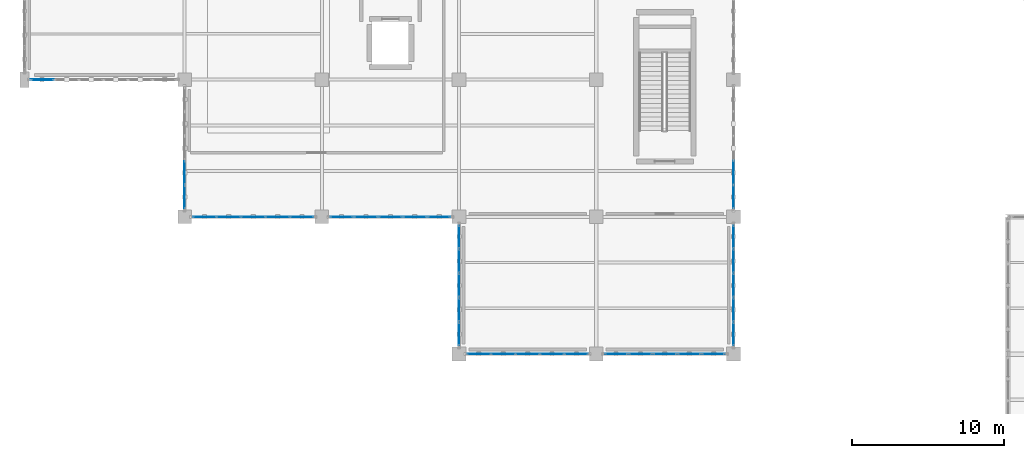
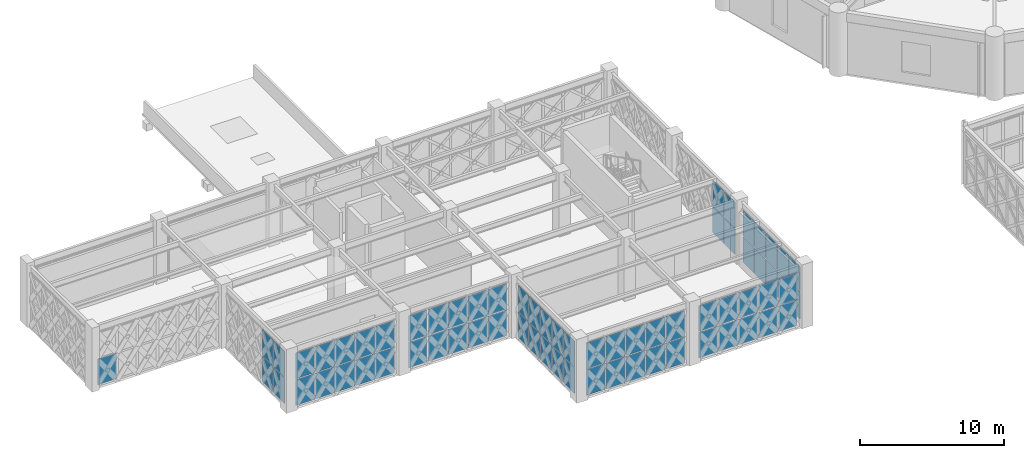
# One storey, part 117 of 155: 69 plates, 9 elements without a shape of their own.
"""IFC4 building model written with IfcOpenShell, lengths in metres."""

from ifc_helpers import new_model, si_unit, direction, frame, origin, origin_2d, place, context, subcontext, project, spatial, rectangle, extrude, material, layer, layer_set, type_object, element, aggregate, save


model = new_model("IFC4")

# Units and contexts
model_context = context("Model", 3, precision=1e-05, world=origin(), true_north=direction((0.0, 1.0)))
body_context = subcontext(model_context, "Body", "Model", "MODEL_VIEW")
ifc_project = project(units=[si_unit("LENGTHUNIT", "METRE"), si_unit("AREAUNIT", "SQUARE_METRE"), si_unit("VOLUMEUNIT", "CUBIC_METRE"), si_unit("PLANEANGLEUNIT", "RADIAN"), si_unit("MASSUNIT", "GRAM", prefix="KILO")], contexts=[model_context])

# Site, building, storey
site_placement = place(None, origin())
site = spatial("IfcSite", under=ifc_project, at=site_placement, CompositionType="ELEMENT")
building_placement = place(site_placement, origin())
building = spatial("IfcBuilding", under=site, at=building_placement, Name="Haizhuo Lancet Aquarium", CompositionType="ELEMENT")
storey_placement = place(building_placement, frame((0.0, 0.0, 10.800048828125)))
storey = spatial("IfcBuildingStorey", under=building, at=storey_placement, Name="L02", CompositionType="ELEMENT", Elevation=10.800048828125)

# Curtain wall, plates
ifc_material_1 = material(Name="Aluminium 6063-T6", Category="aluminium")
curtain_wall_type_1 = type_object("IfcCurtainWallType", Name="CWD-8010x4560", PredefinedType="NOTDEFINED", material=ifc_material_1)
curtain_wall_1_placement = place(storey_placement, origin())
curtain_wall_1 = element("IfcCurtainWall", 1, at=curtain_wall_1_placement, inside=storey, type_object=curtain_wall_type_1, Name="L02 curtain wall CW-V6-L02-221", PredefinedType="NOTDEFINED")
ifc_material_2 = material(Name="Laminated Low-E Glass", Category="glass")
ifc_layer_1 = layer(ifc_material_2, 0.028076171875)
ifc_layer_set_1 = layer_set([ifc_layer_1], Name="Laminated Low-E Glass")
plate_type_1 = type_object("IfcPlateType", Name="CW-PNL-1", PredefinedType="CURTAIN_PANEL", material=ifc_layer_set_1)
plate_1_placement = place(storey_placement, frame((-36.0, -28.31494140625, 0.074951171875), z_axis=(0.0, 0.0, 1.0), x_axis=(0.0, -1.0, 0.0)))
plate_1 = element("IfcPlate", 2, at=plate_1_placement, type_object=plate_type_1, Name="CWD-80x45 panel 1.1", PredefinedType="CURTAIN_PANEL", context=body_context, shape_type="SweptSolid", body=[
    extrude(rectangle(XDim=1.489990234375, YDim=0.028076171875, at=origin_2d()), origin(), (0.0, 0.0, 1.0), 2.16796875),
])
plate_2_placement = place(storey_placement, frame((-36.0, -28.31494140625, 2.31689453125), z_axis=(0.0, 0.0, 1.0), x_axis=(0.0, -1.0, 0.0)))
plate_2 = element("IfcPlate", 3, at=plate_2_placement, type_object=plate_type_1, Name="CWD-80x45 panel 1.2", PredefinedType="CURTAIN_PANEL", context=body_context, shape_type="SweptSolid", body=[
    extrude(rectangle(XDim=1.489990234375, YDim=0.028076171875, at=origin_2d()), origin(), (0.0, 0.0, 1.0), 2.16796875),
])
plate_3_placement = place(storey_placement, frame((-36.0, -29.89794921875, 0.074951171875), z_axis=(0.0, 0.0, 1.0), x_axis=(0.0, -1.0, 0.0)))
plate_3 = element("IfcPlate", 4, at=plate_3_placement, type_object=plate_type_1, Name="CWD-80x45 panel 2.1", PredefinedType="CURTAIN_PANEL", context=body_context, shape_type="SweptSolid", body=[
    extrude(rectangle(XDim=1.527099609375, YDim=0.028076171875, at=origin_2d()), origin(), (0.0, 0.0, 1.0), 2.16796875),
])
plate_4_placement = place(storey_placement, frame((-36.0, -29.89794921875, 2.31689453125), z_axis=(0.0, 0.0, 1.0), x_axis=(0.0, -1.0, 0.0)))
plate_4 = element("IfcPlate", 5, at=plate_4_placement, type_object=plate_type_1, Name="CWD-80x45 panel 2.2", PredefinedType="CURTAIN_PANEL", context=body_context, shape_type="SweptSolid", body=[
    extrude(rectangle(XDim=1.527099609375, YDim=0.028076171875, at=origin_2d()), origin(), (0.0, 0.0, 1.0), 2.16796875),
])
plate_5_placement = place(storey_placement, frame((-36.0, -31.5, 0.074951171875), z_axis=(0.0, 0.0, 1.0), x_axis=(0.0, -1.0, 0.0)))
plate_5 = element("IfcPlate", 6, at=plate_5_placement, type_object=plate_type_1, Name="CWD-80x45 panel 3.1", PredefinedType="CURTAIN_PANEL", context=body_context, shape_type="SweptSolid", body=[
    extrude(rectangle(XDim=1.527099609375, YDim=0.028076171875, at=origin_2d()), origin(), (0.0, 0.0, 1.0), 2.16796875),
])
plate_6_placement = place(storey_placement, frame((-36.0, -31.5, 2.31689453125), z_axis=(0.0, 0.0, 1.0), x_axis=(0.0, -1.0, 0.0)))
plate_6 = element("IfcPlate", 7, at=plate_6_placement, type_object=plate_type_1, Name="CWD-80x45 panel 3.2", PredefinedType="CURTAIN_PANEL", context=body_context, shape_type="SweptSolid", body=[
    extrude(rectangle(XDim=1.527099609375, YDim=0.028076171875, at=origin_2d()), origin(), (0.0, 0.0, 1.0), 2.16796875),
])
plate_7_placement = place(storey_placement, frame((-36.0, -33.10205078125, 0.074951171875), z_axis=(0.0, 0.0, 1.0), x_axis=(0.0, -1.0, 0.0)))
plate_7 = element("IfcPlate", 8, at=plate_7_placement, type_object=plate_type_1, Name="CWD-80x45 panel 4.1", PredefinedType="CURTAIN_PANEL", context=body_context, shape_type="SweptSolid", body=[
    extrude(rectangle(XDim=1.527099609375, YDim=0.028076171875, at=origin_2d()), origin(), (0.0, 0.0, 1.0), 2.16796875),
])
plate_8_placement = place(storey_placement, frame((-36.0, -33.10205078125, 2.31689453125), z_axis=(0.0, 0.0, 1.0), x_axis=(0.0, -1.0, 0.0)))
plate_8 = element("IfcPlate", 9, at=plate_8_placement, type_object=plate_type_1, Name="CWD-80x45 panel 4.2", PredefinedType="CURTAIN_PANEL", context=body_context, shape_type="SweptSolid", body=[
    extrude(rectangle(XDim=1.527099609375, YDim=0.028076171875, at=origin_2d()), origin(), (0.0, 0.0, 1.0), 2.16796875),
])
plate_9_placement = place(storey_placement, frame((-36.0, -34.68505859375, 0.074951171875), z_axis=(0.0, 0.0, 1.0), x_axis=(0.0, -1.0, 0.0)))
plate_9 = element("IfcPlate", 10, at=plate_9_placement, type_object=plate_type_1, Name="CWD-80x45 panel 5.1", PredefinedType="CURTAIN_PANEL", context=body_context, shape_type="SweptSolid", body=[
    extrude(rectangle(XDim=1.489990234375, YDim=0.028076171875, at=origin_2d()), origin(), (0.0, 0.0, 1.0), 2.16796875),
])
plate_10_placement = place(storey_placement, frame((-36.0, -34.68505859375, 2.31689453125), z_axis=(0.0, 0.0, 1.0), x_axis=(0.0, -1.0, 0.0)))
plate_10 = element("IfcPlate", 11, at=plate_10_placement, type_object=plate_type_1, Name="CWD-80x45 panel 5.2", PredefinedType="CURTAIN_PANEL", context=body_context, shape_type="SweptSolid", body=[
    extrude(rectangle(XDim=1.489990234375, YDim=0.028076171875, at=origin_2d()), origin(), (0.0, 0.0, 1.0), 2.16796875),
])
aggregate(curtain_wall_1, [plate_1, plate_2, plate_3, plate_4, plate_5, plate_6, plate_7, plate_8, plate_9, plate_10])

curtain_wall_2_placement = place(storey_placement, origin())
curtain_wall_2 = element("IfcCurtainWall", 12, at=curtain_wall_2_placement, inside=storey, type_object=curtain_wall_type_1, Name="L02 curtain wall CW-V6-L02-225", PredefinedType="NOTDEFINED")
plate_11_placement = place(storey_placement, frame((-55.31591796875, -27.0, 0.080078125), z_axis=(0.0, 0.0, 1.0), x_axis=(-1.0, 0.0, 0.0)))
plate_11 = element("IfcPlate", 13, at=plate_11_placement, type_object=plate_type_1, Name="CWD-80x45 panel 1.1", PredefinedType="CURTAIN_PANEL", context=body_context, shape_type="SweptSolid", body=[
    extrude(rectangle(XDim=1.48193359375, YDim=0.028076171875, at=origin_2d()), origin(), (0.0, 0.0, 1.0), 2.159912109375),
])
plate_12_placement = place(storey_placement, frame((-55.31591796875, -27.0, 2.31982421875), z_axis=(0.0, 0.0, 1.0), x_axis=(-1.0, 0.0, 0.0)))
plate_12 = element("IfcPlate", 14, at=plate_12_placement, type_object=plate_type_1, Name="CWD-80x45 panel 1.2", PredefinedType="CURTAIN_PANEL", context=body_context, shape_type="SweptSolid", body=[
    extrude(rectangle(XDim=1.48193359375, YDim=0.028076171875, at=origin_2d()), origin(), (0.0, 0.0, 1.0), 2.159912109375),
])
plate_13_placement = place(storey_placement, frame((-56.89794921875, -27.0, 0.080078125), z_axis=(0.0, 0.0, 1.0), x_axis=(-1.0, 0.0, 0.0)))
plate_13 = element("IfcPlate", 15, at=plate_13_placement, type_object=plate_type_1, Name="CWD-80x45 panel 2.1", PredefinedType="CURTAIN_PANEL", context=body_context, shape_type="SweptSolid", body=[
    extrude(rectangle(XDim=1.52197265625, YDim=0.028076171875, at=origin_2d()), origin(), (0.0, 0.0, 1.0), 2.159912109375),
])
plate_14_placement = place(storey_placement, frame((-56.89794921875, -27.0, 2.31982421875), z_axis=(0.0, 0.0, 1.0), x_axis=(-1.0, 0.0, 0.0)))
plate_14 = element("IfcPlate", 16, at=plate_14_placement, type_object=plate_type_1, Name="CWD-80x45 panel 2.2", PredefinedType="CURTAIN_PANEL", context=body_context, shape_type="SweptSolid", body=[
    extrude(rectangle(XDim=1.52197265625, YDim=0.028076171875, at=origin_2d()), origin(), (0.0, 0.0, 1.0), 2.159912109375),
])
plate_15_placement = place(storey_placement, frame((-58.5, -27.0, 0.080078125), z_axis=(0.0, 0.0, 1.0), x_axis=(-1.0, 0.0, 0.0)))
plate_15 = element("IfcPlate", 17, at=plate_15_placement, type_object=plate_type_1, Name="CWD-80x45 panel 3.1", PredefinedType="CURTAIN_PANEL", context=body_context, shape_type="SweptSolid", body=[
    extrude(rectangle(XDim=1.52197265625, YDim=0.028076171875, at=origin_2d()), origin(), (0.0, 0.0, 1.0), 2.159912109375),
])
plate_16_placement = place(storey_placement, frame((-58.5, -27.0, 2.31982421875), z_axis=(0.0, 0.0, 1.0), x_axis=(-1.0, 0.0, 0.0)))
plate_16 = element("IfcPlate", 18, at=plate_16_placement, type_object=plate_type_1, Name="CWD-80x45 panel 3.2", PredefinedType="CURTAIN_PANEL", context=body_context, shape_type="SweptSolid", body=[
    extrude(rectangle(XDim=1.52197265625, YDim=0.028076171875, at=origin_2d()), origin(), (0.0, 0.0, 1.0), 2.159912109375),
])
plate_17_placement = place(storey_placement, frame((-60.10205078125, -27.0, 0.080078125), z_axis=(0.0, 0.0, 1.0), x_axis=(-1.0, 0.0, 0.0)))
plate_17 = element("IfcPlate", 19, at=plate_17_placement, type_object=plate_type_1, Name="CWD-80x45 panel 4.1", PredefinedType="CURTAIN_PANEL", context=body_context, shape_type="SweptSolid", body=[
    extrude(rectangle(XDim=1.52197265625, YDim=0.028076171875, at=origin_2d()), origin(), (0.0, 0.0, 1.0), 2.159912109375),
])
plate_18_placement = place(storey_placement, frame((-60.10205078125, -27.0, 2.31982421875), z_axis=(0.0, 0.0, 1.0), x_axis=(-1.0, 0.0, 0.0)))
plate_18 = element("IfcPlate", 20, at=plate_18_placement, type_object=plate_type_1, Name="CWD-80x45 panel 4.2", PredefinedType="CURTAIN_PANEL", context=body_context, shape_type="SweptSolid", body=[
    extrude(rectangle(XDim=1.52197265625, YDim=0.028076171875, at=origin_2d()), origin(), (0.0, 0.0, 1.0), 2.159912109375),
])
plate_19_placement = place(storey_placement, frame((-61.68408203125, -27.0, 0.080078125), z_axis=(0.0, 0.0, 1.0), x_axis=(-1.0, 0.0, 0.0)))
plate_19 = element("IfcPlate", 21, at=plate_19_placement, type_object=plate_type_1, Name="CWD-80x45 panel 5.1", PredefinedType="CURTAIN_PANEL", context=body_context, shape_type="SweptSolid", body=[
    extrude(rectangle(XDim=1.48193359375, YDim=0.028076171875, at=origin_2d()), origin(), (0.0, 0.0, 1.0), 2.159912109375),
])
plate_20_placement = place(storey_placement, frame((-61.68408203125, -27.0, 2.31982421875), z_axis=(0.0, 0.0, 1.0), x_axis=(-1.0, 0.0, 0.0)))
plate_20 = element("IfcPlate", 22, at=plate_20_placement, type_object=plate_type_1, Name="CWD-80x45 panel 5.2", PredefinedType="CURTAIN_PANEL", context=body_context, shape_type="SweptSolid", body=[
    extrude(rectangle(XDim=1.48193359375, YDim=0.028076171875, at=origin_2d()), origin(), (0.0, 0.0, 1.0), 2.159912109375),
])
aggregate(curtain_wall_2, [plate_11, plate_12, plate_13, plate_14, plate_15, plate_16, plate_17, plate_18, plate_19, plate_20])

curtain_wall_3_placement = place(storey_placement, origin())
curtain_wall_3 = element("IfcCurtainWall", 23, at=curtain_wall_3_placement, inside=storey, type_object=curtain_wall_type_1, Name="L02 curtain wall CW-V6-L02-222", PredefinedType="NOTDEFINED")
ifc_layer_2 = layer(ifc_material_2, 0.033935546875)
ifc_layer_set_2 = layer_set([ifc_layer_2], Name="Laminated Low-E Glass")
plate_type_2 = type_object("IfcPlateType", Name="CW-PNL-2", PredefinedType="CURTAIN_PANEL", material=ifc_layer_set_2)
plate_21_placement = place(storey_placement, frame((-37.31591796875, -36.0, 0.080078125), z_axis=(0.0, 0.0, 1.0), x_axis=(-1.0, 0.0, 0.0)))
plate_21 = element("IfcPlate", 24, at=plate_21_placement, type_object=plate_type_2, Name="CWD-80x45 panel 1.1", PredefinedType="CURTAIN_PANEL", context=body_context, shape_type="SweptSolid", body=[
    extrude(rectangle(XDim=1.48193359375, YDim=0.033935546875, at=origin_2d()), origin(), (0.0, 0.0, 1.0), 2.159912109375),
])
plate_22_placement = place(storey_placement, frame((-37.31591796875, -36.0, 2.31982421875), z_axis=(0.0, 0.0, 1.0), x_axis=(-1.0, 0.0, 0.0)))
plate_22 = element("IfcPlate", 25, at=plate_22_placement, type_object=plate_type_2, Name="CWD-80x45 panel 1.2", PredefinedType="CURTAIN_PANEL", context=body_context, shape_type="SweptSolid", body=[
    extrude(rectangle(XDim=1.48193359375, YDim=0.033935546875, at=origin_2d()), origin(), (0.0, 0.0, 1.0), 2.159912109375),
])
plate_23_placement = place(storey_placement, frame((-38.89794921875, -36.0, 0.080078125), z_axis=(0.0, 0.0, 1.0), x_axis=(-1.0, 0.0, 0.0)))
plate_23 = element("IfcPlate", 26, at=plate_23_placement, type_object=plate_type_2, Name="CWD-80x45 panel 2.1", PredefinedType="CURTAIN_PANEL", context=body_context, shape_type="SweptSolid", body=[
    extrude(rectangle(XDim=1.52197265625, YDim=0.033935546875, at=origin_2d()), origin(), (0.0, 0.0, 1.0), 2.159912109375),
])
plate_24_placement = place(storey_placement, frame((-38.89794921875, -36.0, 2.31982421875), z_axis=(0.0, 0.0, 1.0), x_axis=(-1.0, 0.0, 0.0)))
plate_24 = element("IfcPlate", 27, at=plate_24_placement, type_object=plate_type_2, Name="CWD-80x45 panel 2.2", PredefinedType="CURTAIN_PANEL", context=body_context, shape_type="SweptSolid", body=[
    extrude(rectangle(XDim=1.52197265625, YDim=0.033935546875, at=origin_2d()), origin(), (0.0, 0.0, 1.0), 2.159912109375),
])
plate_25_placement = place(storey_placement, frame((-40.5, -36.0, 0.080078125), z_axis=(0.0, 0.0, 1.0), x_axis=(-1.0, 0.0, 0.0)))
plate_25 = element("IfcPlate", 28, at=plate_25_placement, type_object=plate_type_2, Name="CWD-80x45 panel 3.1", PredefinedType="CURTAIN_PANEL", context=body_context, shape_type="SweptSolid", body=[
    extrude(rectangle(XDim=1.52197265625, YDim=0.033935546875, at=origin_2d()), origin(), (0.0, 0.0, 1.0), 2.159912109375),
])
plate_26_placement = place(storey_placement, frame((-40.5, -36.0, 2.31982421875), z_axis=(0.0, 0.0, 1.0), x_axis=(-1.0, 0.0, 0.0)))
plate_26 = element("IfcPlate", 29, at=plate_26_placement, type_object=plate_type_2, Name="CWD-80x45 panel 3.2", PredefinedType="CURTAIN_PANEL", context=body_context, shape_type="SweptSolid", body=[
    extrude(rectangle(XDim=1.52197265625, YDim=0.033935546875, at=origin_2d()), origin(), (0.0, 0.0, 1.0), 2.159912109375),
])
plate_27_placement = place(storey_placement, frame((-42.10205078125, -36.0, 0.080078125), z_axis=(0.0, 0.0, 1.0), x_axis=(-1.0, 0.0, 0.0)))
plate_27 = element("IfcPlate", 30, at=plate_27_placement, type_object=plate_type_2, Name="CWD-80x45 panel 4.1", PredefinedType="CURTAIN_PANEL", context=body_context, shape_type="SweptSolid", body=[
    extrude(rectangle(XDim=1.52197265625, YDim=0.033935546875, at=origin_2d()), origin(), (0.0, 0.0, 1.0), 2.159912109375),
])
plate_28_placement = place(storey_placement, frame((-42.10205078125, -36.0, 2.31982421875), z_axis=(0.0, 0.0, 1.0), x_axis=(-1.0, 0.0, 0.0)))
plate_28 = element("IfcPlate", 31, at=plate_28_placement, type_object=plate_type_2, Name="CWD-80x45 panel 4.2", PredefinedType="CURTAIN_PANEL", context=body_context, shape_type="SweptSolid", body=[
    extrude(rectangle(XDim=1.52197265625, YDim=0.033935546875, at=origin_2d()), origin(), (0.0, 0.0, 1.0), 2.159912109375),
])
plate_29_placement = place(storey_placement, frame((-43.68408203125, -36.0, 0.080078125), z_axis=(0.0, 0.0, 1.0), x_axis=(-1.0, 0.0, 0.0)))
plate_29 = element("IfcPlate", 32, at=plate_29_placement, type_object=plate_type_2, Name="CWD-80x45 panel 5.1", PredefinedType="CURTAIN_PANEL", context=body_context, shape_type="SweptSolid", body=[
    extrude(rectangle(XDim=1.48193359375, YDim=0.033935546875, at=origin_2d()), origin(), (0.0, 0.0, 1.0), 2.159912109375),
])
plate_30_placement = place(storey_placement, frame((-43.68408203125, -36.0, 2.31982421875), z_axis=(0.0, 0.0, 1.0), x_axis=(-1.0, 0.0, 0.0)))
plate_30 = element("IfcPlate", 33, at=plate_30_placement, type_object=plate_type_2, Name="CWD-80x45 panel 5.2", PredefinedType="CURTAIN_PANEL", context=body_context, shape_type="SweptSolid", body=[
    extrude(rectangle(XDim=1.48193359375, YDim=0.033935546875, at=origin_2d()), origin(), (0.0, 0.0, 1.0), 2.159912109375),
])
aggregate(curtain_wall_3, [plate_21, plate_22, plate_23, plate_24, plate_25, plate_26, plate_27, plate_28, plate_29, plate_30])

curtain_wall_4_placement = place(storey_placement, origin())
curtain_wall_4 = element("IfcCurtainWall", 34, at=curtain_wall_4_placement, inside=storey, type_object=curtain_wall_type_1, Name="L02 curtain wall CW-V6-L02-226", PredefinedType="NOTDEFINED")
plate_31_placement = place(storey_placement, frame((-64.31201171875, -27.0, 0.06494140625), z_axis=(0.0, 0.0, 1.0), x_axis=(-1.0, 0.0, 0.0)))
plate_31 = element("IfcPlate", 35, at=plate_31_placement, type_object=plate_type_2, Name="CWD-80x45 panel 1.1", PredefinedType="CURTAIN_PANEL", context=body_context, shape_type="SweptSolid", body=[
    extrude(rectangle(XDim=1.50390625, YDim=0.033935546875, at=origin_2d()), origin(), (0.0, 0.0, 1.0), 2.181884765625),
])
plate_32_placement = place(storey_placement, frame((-64.31201171875, -27.0, 2.31298828125), z_axis=(0.0, 0.0, 1.0), x_axis=(-1.0, 0.0, 0.0)))
plate_32 = element("IfcPlate", 36, at=plate_32_placement, type_object=plate_type_2, Name="CWD-80x45 panel 1.2", PredefinedType="CURTAIN_PANEL", context=body_context, shape_type="SweptSolid", body=[
    extrude(rectangle(XDim=1.50390625, YDim=0.033935546875, at=origin_2d()), origin(), (0.0, 0.0, 1.0), 2.181884765625),
])
plate_33_placement = place(storey_placement, frame((-65.89794921875, -27.0, 0.06494140625), z_axis=(0.0, 0.0, 1.0), x_axis=(-1.0, 0.0, 0.0)))
plate_33 = element("IfcPlate", 37, at=plate_33_placement, type_object=plate_type_2, Name="CWD-80x45 panel 2.1", PredefinedType="CURTAIN_PANEL", context=body_context, shape_type="SweptSolid", body=[
    extrude(rectangle(XDim=1.537109375, YDim=0.033935546875, at=origin_2d()), origin(), (0.0, 0.0, 1.0), 2.181884765625),
])
plate_34_placement = place(storey_placement, frame((-65.89794921875, -27.0, 2.31298828125), z_axis=(0.0, 0.0, 1.0), x_axis=(-1.0, 0.0, 0.0)))
plate_34 = element("IfcPlate", 38, at=plate_34_placement, type_object=plate_type_2, Name="CWD-80x45 panel 2.2", PredefinedType="CURTAIN_PANEL", context=body_context, shape_type="SweptSolid", body=[
    extrude(rectangle(XDim=1.537109375, YDim=0.033935546875, at=origin_2d()), origin(), (0.0, 0.0, 1.0), 2.181884765625),
])
plate_35_placement = place(storey_placement, frame((-67.5, -27.0, 0.06494140625), z_axis=(0.0, 0.0, 1.0), x_axis=(-1.0, 0.0, 0.0)))
plate_35 = element("IfcPlate", 39, at=plate_35_placement, type_object=plate_type_2, Name="CWD-80x45 panel 3.1", PredefinedType="CURTAIN_PANEL", context=body_context, shape_type="SweptSolid", body=[
    extrude(rectangle(XDim=1.537109375, YDim=0.033935546875, at=origin_2d()), origin(), (0.0, 0.0, 1.0), 2.181884765625),
])
plate_36_placement = place(storey_placement, frame((-67.5, -27.0, 2.31298828125), z_axis=(0.0, 0.0, 1.0), x_axis=(-1.0, 0.0, 0.0)))
plate_36 = element("IfcPlate", 40, at=plate_36_placement, type_object=plate_type_2, Name="CWD-80x45 panel 3.2", PredefinedType="CURTAIN_PANEL", context=body_context, shape_type="SweptSolid", body=[
    extrude(rectangle(XDim=1.537109375, YDim=0.033935546875, at=origin_2d()), origin(), (0.0, 0.0, 1.0), 2.181884765625),
])
plate_37_placement = place(storey_placement, frame((-69.10205078125, -27.0, 0.06494140625), z_axis=(0.0, 0.0, 1.0), x_axis=(-1.0, 0.0, 0.0)))
plate_37 = element("IfcPlate", 41, at=plate_37_placement, type_object=plate_type_2, Name="CWD-80x45 panel 4.1", PredefinedType="CURTAIN_PANEL", context=body_context, shape_type="SweptSolid", body=[
    extrude(rectangle(XDim=1.537109375, YDim=0.033935546875, at=origin_2d()), origin(), (0.0, 0.0, 1.0), 2.181884765625),
])
plate_38_placement = place(storey_placement, frame((-69.10205078125, -27.0, 2.31298828125), z_axis=(0.0, 0.0, 1.0), x_axis=(-1.0, 0.0, 0.0)))
plate_38 = element("IfcPlate", 42, at=plate_38_placement, type_object=plate_type_2, Name="CWD-80x45 panel 4.2", PredefinedType="CURTAIN_PANEL", context=body_context, shape_type="SweptSolid", body=[
    extrude(rectangle(XDim=1.537109375, YDim=0.033935546875, at=origin_2d()), origin(), (0.0, 0.0, 1.0), 2.181884765625),
])
plate_39_placement = place(storey_placement, frame((-70.68798828125, -27.0, 0.06494140625), z_axis=(0.0, 0.0, 1.0), x_axis=(-1.0, 0.0, 0.0)))
plate_39 = element("IfcPlate", 43, at=plate_39_placement, type_object=plate_type_2, Name="CWD-80x45 panel 5.1", PredefinedType="CURTAIN_PANEL", context=body_context, shape_type="SweptSolid", body=[
    extrude(rectangle(XDim=1.5048828125, YDim=0.033935546875, at=origin_2d()), origin(), (0.0, 0.0, 1.0), 2.181884765625),
])
plate_40_placement = place(storey_placement, frame((-70.68798828125, -27.0, 2.31298828125), z_axis=(0.0, 0.0, 1.0), x_axis=(-1.0, 0.0, 0.0)))
plate_40 = element("IfcPlate", 44, at=plate_40_placement, type_object=plate_type_2, Name="CWD-80x45 panel 5.2", PredefinedType="CURTAIN_PANEL", context=body_context, shape_type="SweptSolid", body=[
    extrude(rectangle(XDim=1.5048828125, YDim=0.033935546875, at=origin_2d()), origin(), (0.0, 0.0, 1.0), 2.181884765625),
])
aggregate(curtain_wall_4, [plate_31, plate_32, plate_33, plate_34, plate_35, plate_36, plate_37, plate_38, plate_39, plate_40])

curtain_wall_5_placement = place(storey_placement, origin())
curtain_wall_5 = element("IfcCurtainWall", 45, at=curtain_wall_5_placement, inside=storey, type_object=curtain_wall_type_1, Name="L02 curtain wall CW-V6-L02-223", PredefinedType="NOTDEFINED")
ifc_layer_3 = layer(ifc_material_2, 0.0419921875)
ifc_layer_set_3 = layer_set([ifc_layer_3], Name="Laminated Low-E Glass")
plate_type_3 = type_object("IfcPlateType", Name="CW-PNL-3", PredefinedType="CURTAIN_PANEL", material=ifc_layer_set_3)
plate_41_placement = place(storey_placement, frame((-46.31201171875, -36.0, 0.06494140625), z_axis=(0.0, 0.0, 1.0), x_axis=(-1.0, 0.0, 0.0)))
plate_41 = element("IfcPlate", 46, at=plate_41_placement, type_object=plate_type_3, Name="CWD-80x45 panel 1.1", PredefinedType="CURTAIN_PANEL", context=body_context, shape_type="SweptSolid", body=[
    extrude(rectangle(XDim=1.5048828125, YDim=0.0419921875, at=origin_2d()), origin(), (0.0, 0.0, 1.0), 2.181884765625),
])
plate_42_placement = place(storey_placement, frame((-46.31201171875, -36.0, 2.31298828125), z_axis=(0.0, 0.0, 1.0), x_axis=(-1.0, 0.0, 0.0)))
plate_42 = element("IfcPlate", 47, at=plate_42_placement, type_object=plate_type_3, Name="CWD-80x45 panel 1.2", PredefinedType="CURTAIN_PANEL", context=body_context, shape_type="SweptSolid", body=[
    extrude(rectangle(XDim=1.5048828125, YDim=0.0419921875, at=origin_2d()), origin(), (0.0, 0.0, 1.0), 2.181884765625),
])
plate_43_placement = place(storey_placement, frame((-47.89794921875, -36.0, 0.06494140625), z_axis=(0.0, 0.0, 1.0), x_axis=(-1.0, 0.0, 0.0)))
plate_43 = element("IfcPlate", 48, at=plate_43_placement, type_object=plate_type_3, Name="CWD-80x45 panel 2.1", PredefinedType="CURTAIN_PANEL", context=body_context, shape_type="SweptSolid", body=[
    extrude(rectangle(XDim=1.537109375, YDim=0.0419921875, at=origin_2d()), origin(), (0.0, 0.0, 1.0), 2.181884765625),
])
plate_44_placement = place(storey_placement, frame((-47.89794921875, -36.0, 2.31298828125), z_axis=(0.0, 0.0, 1.0), x_axis=(-1.0, 0.0, 0.0)))
plate_44 = element("IfcPlate", 49, at=plate_44_placement, type_object=plate_type_3, Name="CWD-80x45 panel 2.2", PredefinedType="CURTAIN_PANEL", context=body_context, shape_type="SweptSolid", body=[
    extrude(rectangle(XDim=1.537109375, YDim=0.0419921875, at=origin_2d()), origin(), (0.0, 0.0, 1.0), 2.181884765625),
])
plate_45_placement = place(storey_placement, frame((-49.5, -36.0, 0.06494140625), z_axis=(0.0, 0.0, 1.0), x_axis=(-1.0, 0.0, 0.0)))
plate_45 = element("IfcPlate", 50, at=plate_45_placement, type_object=plate_type_3, Name="CWD-80x45 panel 3.1", PredefinedType="CURTAIN_PANEL", context=body_context, shape_type="SweptSolid", body=[
    extrude(rectangle(XDim=1.537109375, YDim=0.0419921875, at=origin_2d()), origin(), (0.0, 0.0, 1.0), 2.181884765625),
])
plate_46_placement = place(storey_placement, frame((-49.5, -36.0, 2.31298828125), z_axis=(0.0, 0.0, 1.0), x_axis=(-1.0, 0.0, 0.0)))
plate_46 = element("IfcPlate", 51, at=plate_46_placement, type_object=plate_type_3, Name="CWD-80x45 panel 3.2", PredefinedType="CURTAIN_PANEL", context=body_context, shape_type="SweptSolid", body=[
    extrude(rectangle(XDim=1.537109375, YDim=0.0419921875, at=origin_2d()), origin(), (0.0, 0.0, 1.0), 2.181884765625),
])
plate_47_placement = place(storey_placement, frame((-51.10205078125, -36.0, 0.06494140625), z_axis=(0.0, 0.0, 1.0), x_axis=(-1.0, 0.0, 0.0)))
plate_47 = element("IfcPlate", 52, at=plate_47_placement, type_object=plate_type_3, Name="CWD-80x45 panel 4.1", PredefinedType="CURTAIN_PANEL", context=body_context, shape_type="SweptSolid", body=[
    extrude(rectangle(XDim=1.537109375, YDim=0.0419921875, at=origin_2d()), origin(), (0.0, 0.0, 1.0), 2.181884765625),
])
plate_48_placement = place(storey_placement, frame((-51.10205078125, -36.0, 2.31298828125), z_axis=(0.0, 0.0, 1.0), x_axis=(-1.0, 0.0, 0.0)))
plate_48 = element("IfcPlate", 53, at=plate_48_placement, type_object=plate_type_3, Name="CWD-80x45 panel 4.2", PredefinedType="CURTAIN_PANEL", context=body_context, shape_type="SweptSolid", body=[
    extrude(rectangle(XDim=1.537109375, YDim=0.0419921875, at=origin_2d()), origin(), (0.0, 0.0, 1.0), 2.181884765625),
])
plate_49_placement = place(storey_placement, frame((-52.68798828125, -36.0, 0.06494140625), z_axis=(0.0, 0.0, 1.0), x_axis=(-1.0, 0.0, 0.0)))
plate_49 = element("IfcPlate", 54, at=plate_49_placement, type_object=plate_type_3, Name="CWD-80x45 panel 5.1", PredefinedType="CURTAIN_PANEL", context=body_context, shape_type="SweptSolid", body=[
    extrude(rectangle(XDim=1.5048828125, YDim=0.0419921875, at=origin_2d()), origin(), (0.0, 0.0, 1.0), 2.181884765625),
])
plate_50_placement = place(storey_placement, frame((-52.68798828125, -36.0, 2.31298828125), z_axis=(0.0, 0.0, 1.0), x_axis=(-1.0, 0.0, 0.0)))
plate_50 = element("IfcPlate", 55, at=plate_50_placement, type_object=plate_type_3, Name="CWD-80x45 panel 5.2", PredefinedType="CURTAIN_PANEL", context=body_context, shape_type="SweptSolid", body=[
    extrude(rectangle(XDim=1.5048828125, YDim=0.0419921875, at=origin_2d()), origin(), (0.0, 0.0, 1.0), 2.181884765625),
])
aggregate(curtain_wall_5, [plate_41, plate_42, plate_43, plate_44, plate_45, plate_46, plate_47, plate_48, plate_49, plate_50])

curtain_wall_6_placement = place(storey_placement, origin())
curtain_wall_6 = element("IfcCurtainWall", 56, at=curtain_wall_6_placement, inside=storey, type_object=curtain_wall_type_1, Name="L02 curtain wall CW-V6-L02-227", PredefinedType="NOTDEFINED")
plate_51_placement = place(storey_placement, frame((-72.0, -25.68505859375, 0.074951171875), z_axis=(0.0, 0.0, 1.0), x_axis=(0.0, 1.0, 0.0)))
plate_51 = element("IfcPlate", 57, at=plate_51_placement, type_object=plate_type_3, Name="CWD-80x45 panel 1.1", PredefinedType="CURTAIN_PANEL", context=body_context, shape_type="SweptSolid", body=[
    extrude(rectangle(XDim=1.489013671875, YDim=0.0419921875, at=origin_2d()), origin(), (0.0, 0.0, 1.0), 2.16796875),
])
plate_52_placement = place(storey_placement, frame((-72.0, -25.68505859375, 2.31689453125), z_axis=(0.0, 0.0, 1.0), x_axis=(0.0, 1.0, 0.0)))
plate_52 = element("IfcPlate", 58, at=plate_52_placement, type_object=plate_type_3, Name="CWD-80x45 panel 1.2", PredefinedType="CURTAIN_PANEL", context=body_context, shape_type="SweptSolid", body=[
    extrude(rectangle(XDim=1.489013671875, YDim=0.0419921875, at=origin_2d()), origin(), (0.0, 0.0, 1.0), 2.16796875),
])
plate_53_placement = place(storey_placement, frame((-72.0, -24.10205078125, 0.074951171875), z_axis=(0.0, 0.0, 1.0), x_axis=(0.0, 1.0, 0.0)))
plate_53 = element("IfcPlate", 59, at=plate_53_placement, type_object=plate_type_3, Name="CWD-80x45 panel 2.1", PredefinedType="CURTAIN_PANEL", context=body_context, shape_type="SweptSolid", body=[
    extrude(rectangle(XDim=1.527099609375, YDim=0.0419921875, at=origin_2d()), origin(), (0.0, 0.0, 1.0), 2.16796875),
])
plate_54_placement = place(storey_placement, frame((-72.0, -24.10205078125, 2.31689453125), z_axis=(0.0, 0.0, 1.0), x_axis=(0.0, 1.0, 0.0)))
plate_54 = element("IfcPlate", 60, at=plate_54_placement, type_object=plate_type_3, Name="CWD-80x45 panel 2.2", PredefinedType="CURTAIN_PANEL", context=body_context, shape_type="SweptSolid", body=[
    extrude(rectangle(XDim=1.527099609375, YDim=0.0419921875, at=origin_2d()), origin(), (0.0, 0.0, 1.0), 2.16796875),
])
aggregate(curtain_wall_6, [plate_51, plate_52, plate_53, plate_54])

# Curtain wall, plate
curtain_wall_type_2 = type_object("IfcCurtainWallType", Name="CWD-9660x4560", PredefinedType="NOTDEFINED", material=ifc_material_1)
curtain_wall_7_placement = place(storey_placement, origin())
curtain_wall_7 = element("IfcCurtainWall", 61, at=curtain_wall_7_placement, inside=storey, type_object=curtain_wall_type_2, Name="L02 curtain wall CW-V6-L02-212", PredefinedType="NOTDEFINED")
ifc_layer_4 = layer(ifc_material_2, 0.052001953125)
ifc_layer_set_4 = layer_set([ifc_layer_4], Name="Laminated Low-E Glass")
plate_type_4 = type_object("IfcPlateType", Name="CW-PNL-4", PredefinedType="CURTAIN_PANEL", material=ifc_layer_set_4)
plate_55_placement = place(storey_placement, frame((-81.3310546875, -18.0, 0.074951171875), z_axis=(0.0, 0.0, 1.0), x_axis=(-1.0, 0.0, 0.0)))
plate_55 = element("IfcPlate", 62, at=plate_55_placement, type_object=plate_type_4, Name="CWD-96x45 panel 6.1", PredefinedType="CURTAIN_PANEL", context=body_context, shape_type="SweptSolid", body=[
    extrude(rectangle(XDim=1.498046875, YDim=0.052001953125, at=origin_2d()), origin(), (0.0, 0.0, 1.0), 2.16796875),
])
aggregate(curtain_wall_7, [plate_55])

# Curtain wall, plates
curtain_wall_8_placement = place(storey_placement, origin())
curtain_wall_8 = element("IfcCurtainWall", 63, at=curtain_wall_8_placement, inside=storey, type_object=curtain_wall_type_1, Name="L02 curtain wall CW-V6-L02-220", PredefinedType="NOTDEFINED")
plate_56_placement = place(storey_placement, frame((-36.0, -24.10205078125, 0.06494140625), z_axis=(0.0, 0.0, 1.0), x_axis=(0.0, -1.0, 0.0)))
plate_56 = element("IfcPlate", 64, at=plate_56_placement, type_object=plate_type_4, Name="CWD-80x45 panel 4.1", PredefinedType="CURTAIN_PANEL", context=body_context, shape_type="SweptSolid", body=[
    extrude(rectangle(XDim=1.537109375, YDim=0.052001953125, at=origin_2d()), origin(), (0.0, 0.0, 1.0), 2.181884765625),
])
plate_57_placement = place(storey_placement, frame((-36.0, -24.10205078125, 2.31298828125), z_axis=(0.0, 0.0, 1.0), x_axis=(0.0, -1.0, 0.0)))
plate_57 = element("IfcPlate", 65, at=plate_57_placement, type_object=plate_type_4, Name="CWD-80x45 panel 4.2", PredefinedType="CURTAIN_PANEL", context=body_context, shape_type="SweptSolid", body=[
    extrude(rectangle(XDim=1.537109375, YDim=0.052001953125, at=origin_2d()), origin(), (0.0, 0.0, 1.0), 2.181884765625),
])
plate_58_placement = place(storey_placement, frame((-36.0, -25.68798828125, 0.06494140625), z_axis=(0.0, 0.0, 1.0), x_axis=(0.0, -1.0, 0.0)))
plate_58 = element("IfcPlate", 66, at=plate_58_placement, type_object=plate_type_4, Name="CWD-80x45 panel 5.1", PredefinedType="CURTAIN_PANEL", context=body_context, shape_type="SweptSolid", body=[
    extrude(rectangle(XDim=1.5048828125, YDim=0.052001953125, at=origin_2d()), origin(), (0.0, 0.0, 1.0), 2.181884765625),
])
plate_59_placement = place(storey_placement, frame((-36.0, -25.68798828125, 2.31298828125), z_axis=(0.0, 0.0, 1.0), x_axis=(0.0, -1.0, 0.0)))
plate_59 = element("IfcPlate", 67, at=plate_59_placement, type_object=plate_type_4, Name="CWD-80x45 panel 5.2", PredefinedType="CURTAIN_PANEL", context=body_context, shape_type="SweptSolid", body=[
    extrude(rectangle(XDim=1.5048828125, YDim=0.052001953125, at=origin_2d()), origin(), (0.0, 0.0, 1.0), 2.181884765625),
])
aggregate(curtain_wall_8, [plate_56, plate_57, plate_58, plate_59])

curtain_wall_9_placement = place(storey_placement, origin())
curtain_wall_9 = element("IfcCurtainWall", 68, at=curtain_wall_9_placement, inside=storey, type_object=curtain_wall_type_1, Name="L02 curtain wall CW-V6-L02-224", PredefinedType="NOTDEFINED")
plate_60_placement = place(storey_placement, frame((-54.0, -34.68505859375, 0.074951171875), z_axis=(0.0, 0.0, 1.0), x_axis=(0.0, 1.0, 0.0)))
plate_60 = element("IfcPlate", 69, at=plate_60_placement, type_object=plate_type_4, Name="CWD-80x45 panel 1.1", PredefinedType="CURTAIN_PANEL", context=body_context, shape_type="SweptSolid", body=[
    extrude(rectangle(XDim=1.489990234375, YDim=0.052001953125, at=origin_2d()), origin(), (0.0, 0.0, 1.0), 2.16796875),
])
plate_61_placement = place(storey_placement, frame((-54.0, -34.68505859375, 2.31689453125), z_axis=(0.0, 0.0, 1.0), x_axis=(0.0, 1.0, 0.0)))
plate_61 = element("IfcPlate", 70, at=plate_61_placement, type_object=plate_type_4, Name="CWD-80x45 panel 1.2", PredefinedType="CURTAIN_PANEL", context=body_context, shape_type="SweptSolid", body=[
    extrude(rectangle(XDim=1.489990234375, YDim=0.052001953125, at=origin_2d()), origin(), (0.0, 0.0, 1.0), 2.16796875),
])
plate_62_placement = place(storey_placement, frame((-54.0, -33.10205078125, 0.074951171875), z_axis=(0.0, 0.0, 1.0), x_axis=(0.0, 1.0, 0.0)))
plate_62 = element("IfcPlate", 71, at=plate_62_placement, type_object=plate_type_4, Name="CWD-80x45 panel 2.1", PredefinedType="CURTAIN_PANEL", context=body_context, shape_type="SweptSolid", body=[
    extrude(rectangle(XDim=1.527099609375, YDim=0.052001953125, at=origin_2d()), origin(), (0.0, 0.0, 1.0), 2.16796875),
])
plate_63_placement = place(storey_placement, frame((-54.0, -33.10205078125, 2.31689453125), z_axis=(0.0, 0.0, 1.0), x_axis=(0.0, 1.0, 0.0)))
plate_63 = element("IfcPlate", 72, at=plate_63_placement, type_object=plate_type_4, Name="CWD-80x45 panel 2.2", PredefinedType="CURTAIN_PANEL", context=body_context, shape_type="SweptSolid", body=[
    extrude(rectangle(XDim=1.527099609375, YDim=0.052001953125, at=origin_2d()), origin(), (0.0, 0.0, 1.0), 2.16796875),
])
plate_64_placement = place(storey_placement, frame((-54.0, -31.5, 0.074951171875), z_axis=(0.0, 0.0, 1.0), x_axis=(0.0, 1.0, 0.0)))
plate_64 = element("IfcPlate", 73, at=plate_64_placement, type_object=plate_type_4, Name="CWD-80x45 panel 3.1", PredefinedType="CURTAIN_PANEL", context=body_context, shape_type="SweptSolid", body=[
    extrude(rectangle(XDim=1.527099609375, YDim=0.052001953125, at=origin_2d()), origin(), (0.0, 0.0, 1.0), 2.16796875),
])
plate_65_placement = place(storey_placement, frame((-54.0, -31.5, 2.31689453125), z_axis=(0.0, 0.0, 1.0), x_axis=(0.0, 1.0, 0.0)))
plate_65 = element("IfcPlate", 74, at=plate_65_placement, type_object=plate_type_4, Name="CWD-80x45 panel 3.2", PredefinedType="CURTAIN_PANEL", context=body_context, shape_type="SweptSolid", body=[
    extrude(rectangle(XDim=1.527099609375, YDim=0.052001953125, at=origin_2d()), origin(), (0.0, 0.0, 1.0), 2.16796875),
])
plate_66_placement = place(storey_placement, frame((-54.0, -29.89794921875, 0.074951171875), z_axis=(0.0, 0.0, 1.0), x_axis=(0.0, 1.0, 0.0)))
plate_66 = element("IfcPlate", 75, at=plate_66_placement, type_object=plate_type_4, Name="CWD-80x45 panel 4.1", PredefinedType="CURTAIN_PANEL", context=body_context, shape_type="SweptSolid", body=[
    extrude(rectangle(XDim=1.527099609375, YDim=0.052001953125, at=origin_2d()), origin(), (0.0, 0.0, 1.0), 2.16796875),
])
plate_67_placement = place(storey_placement, frame((-54.0, -29.89794921875, 2.31689453125), z_axis=(0.0, 0.0, 1.0), x_axis=(0.0, 1.0, 0.0)))
plate_67 = element("IfcPlate", 76, at=plate_67_placement, type_object=plate_type_4, Name="CWD-80x45 panel 4.2", PredefinedType="CURTAIN_PANEL", context=body_context, shape_type="SweptSolid", body=[
    extrude(rectangle(XDim=1.527099609375, YDim=0.052001953125, at=origin_2d()), origin(), (0.0, 0.0, 1.0), 2.16796875),
])
plate_68_placement = place(storey_placement, frame((-54.0, -28.31494140625, 0.074951171875), z_axis=(0.0, 0.0, 1.0), x_axis=(0.0, 1.0, 0.0)))
plate_68 = element("IfcPlate", 77, at=plate_68_placement, type_object=plate_type_4, Name="CWD-80x45 panel 5.1", PredefinedType="CURTAIN_PANEL", context=body_context, shape_type="SweptSolid", body=[
    extrude(rectangle(XDim=1.489990234375, YDim=0.052001953125, at=origin_2d()), origin(), (0.0, 0.0, 1.0), 2.16796875),
])
plate_69_placement = place(storey_placement, frame((-54.0, -28.31494140625, 2.31689453125), z_axis=(0.0, 0.0, 1.0), x_axis=(0.0, 1.0, 0.0)))
plate_69 = element("IfcPlate", 78, at=plate_69_placement, type_object=plate_type_4, Name="CWD-80x45 panel 5.2", PredefinedType="CURTAIN_PANEL", context=body_context, shape_type="SweptSolid", body=[
    extrude(rectangle(XDim=1.489990234375, YDim=0.052001953125, at=origin_2d()), origin(), (0.0, 0.0, 1.0), 2.16796875),
])
aggregate(curtain_wall_9, [plate_60, plate_61, plate_62, plate_63, plate_64, plate_65, plate_66, plate_67, plate_68, plate_69])

save(model, "model.ifc")
